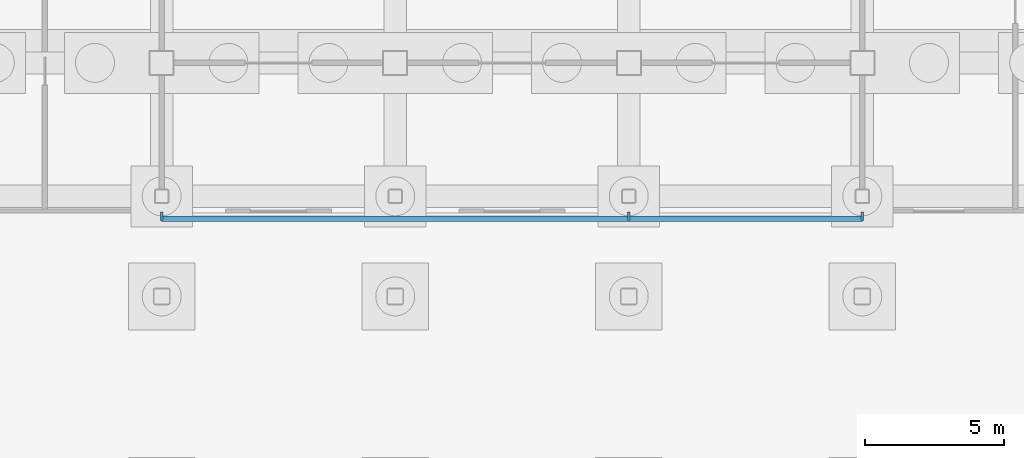
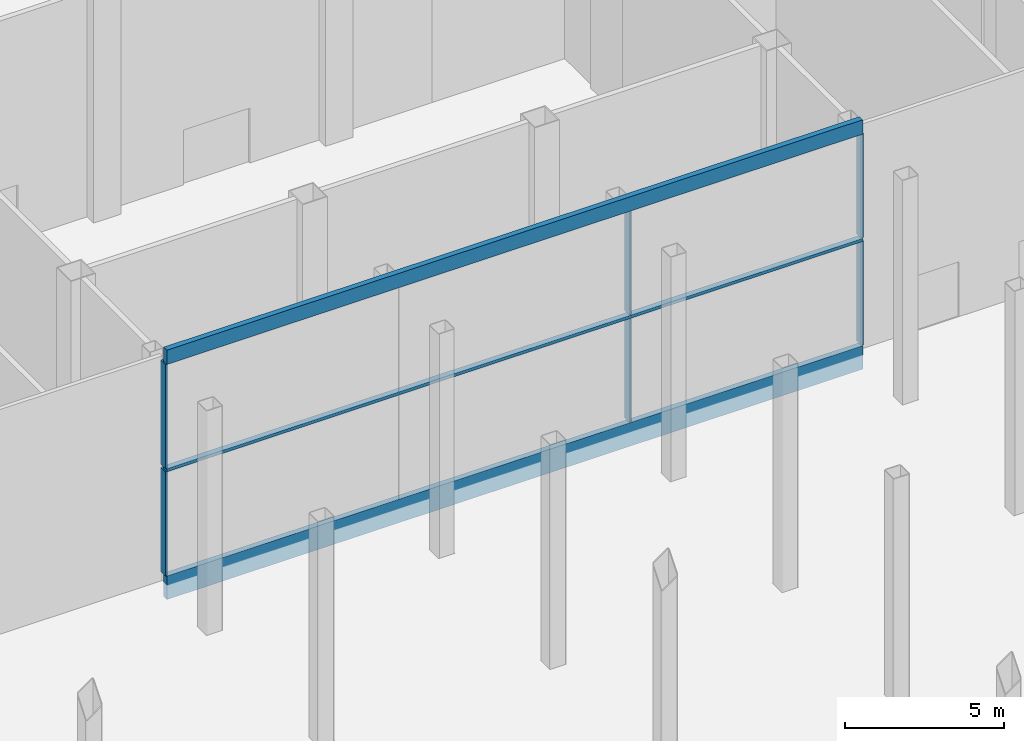
# One storey, part 20 of 113: 9 members, 1 element without a shape of its own.
"""IFC4 building model written with IfcOpenShell, lengths in metres."""

from ifc_helpers import new_model, si_unit, direction, frame, origin, origin_2d, place, context, subcontext, project, spatial, rectangle, extrude, material, layer, layer_set, material_profile, profile_set, type_object, element, aggregate, save


model = new_model("IFC4")

# Units and contexts
model_context = context("Model", 3, precision=1e-05, world=origin(), true_north=direction((0.0, 1.0)))
body_context = subcontext(model_context, "Body", "Model", "MODEL_VIEW")
ifc_project = project(units=[si_unit("LENGTHUNIT", "METRE"), si_unit("AREAUNIT", "SQUARE_METRE"), si_unit("VOLUMEUNIT", "CUBIC_METRE"), si_unit("PLANEANGLEUNIT", "RADIAN"), si_unit("MASSUNIT", "GRAM", prefix="KILO")], contexts=[model_context])

# Site, building, storey
site_placement = place(None, origin())
site = spatial("IfcSite", under=ifc_project, at=site_placement, CompositionType="ELEMENT")
building_placement = place(site_placement, origin())
building = spatial("IfcBuilding", under=site, at=building_placement, Name="Hakoniwa Tower and Hamabe Station Hall", CompositionType="ELEMENT")
storey_placement = place(building_placement, origin())
storey = spatial("IfcBuildingStorey", under=building, at=storey_placement, Name="L01", CompositionType="ELEMENT", Elevation=0.0)

# Curtain wall, members
ifc_material_1 = material(Name="Dark low-e laminated glass", Category="glass")
ifc_layer = layer(ifc_material_1, 0.199951171875)
ifc_layer_set = layer_set([ifc_layer], Name="CW-3 PODIUM LOBBY")
curtain_wall_type = type_object("IfcCurtainWallType", Name="CW-3 PODIUM LOBBY", PredefinedType="NOTDEFINED", material=ifc_layer_set)
curtain_wall_placement = place(storey_placement, origin())
curtain_wall = element("IfcCurtainWall", 1, at=curtain_wall_placement, inside=storey, type_object=curtain_wall_type, Name="Podium curtain wall L01 south 4", PredefinedType="NOTDEFINED")
ifc_material_2 = material(Name="Aluminium 6063-T5 black anodised", Category="aluminium")
ifc_material_profile_1 = material_profile(ifc_material_2, rectangle(XDim=0.199951171875, YDim=0.550048828125, at=origin_2d()), Name="CW HEAD BAND 550X200")
ifc_profile_set_1 = profile_set([ifc_material_profile_1], Name="Aluminium 6063-T5 black anodised")
member_type_1 = type_object("IfcMemberType", Name="CW HEAD BAND 550X200", PredefinedType="USERDEFINED", material=ifc_profile_set_1)
member_1_placement = place(storey_placement, frame((-8.39990234375, -25.199951171875, 8.72509765625), z_axis=(1.0, 0.0, 0.0), x_axis=(0.0, 1.0, 0.0)))
member_1 = element("IfcMember", 2, at=member_1_placement, type_object=member_type_1, Name="CW-3 transom", ObjectType="TRANSOM", PredefinedType="USERDEFINED", context=body_context, shape_type="SweptSolid", body=[
    extrude(rectangle(XDim=0.199951171875, YDim=0.550048828125, at=origin_2d()), origin(), (0.0, 0.0, 1.0), 25.199951171875),
])
ifc_material_3 = material(Name="Aluminium 6063-T5 black anodised", Category="aluminium")
ifc_material_profile_2 = material_profile(ifc_material_3, rectangle(XDim=0.199951171875, YDim=0.1201171875, at=origin_2d()), Name="CW MID TRANSOM 120X200")
ifc_profile_set_2 = profile_set([ifc_material_profile_2], Name="Aluminium 6063-T5 black anodised")
member_type_2 = type_object("IfcMemberType", Name="CW MID TRANSOM 120X200", PredefinedType="USERDEFINED", material=ifc_profile_set_2)
member_2_placement = place(storey_placement, frame((-8.39990234375, -25.199951171875, 4.39990234375), z_axis=(1.0, 0.0, 0.0), x_axis=(0.0, 1.0, 0.0)))
member_2 = element("IfcMember", 3, at=member_2_placement, type_object=member_type_2, Name="CW-3 transom", ObjectType="TRANSOM", PredefinedType="USERDEFINED", context=body_context, shape_type="SweptSolid", body=[
    extrude(rectangle(XDim=0.199951171875, YDim=0.1201171875, at=origin_2d()), origin(), (0.0, 0.0, 1.0), 25.199951171875),
])
ifc_material_4 = material(Name="Aluminium 6063-T5 black anodised", Category="aluminium")
ifc_material_profile_3 = material_profile(ifc_material_4, rectangle(XDim=0.199951171875, YDim=0.89990234375, at=origin_2d()), Name="CW SLAB-EDGE BAND 900X200")
ifc_profile_set_3 = profile_set([ifc_material_profile_3], Name="Aluminium 6063-T5 black anodised")
member_type_3 = type_object("IfcMemberType", Name="CW SLAB-EDGE BAND 900X200", PredefinedType="USERDEFINED", material=ifc_profile_set_3)
member_3_placement = place(storey_placement, frame((-8.39990234375, -25.199951171875, -0.10009765625), z_axis=(1.0, 0.0, 0.0), x_axis=(0.0, 1.0, 0.0)))
member_3 = element("IfcMember", 4, at=member_3_placement, type_object=member_type_3, Name="CW-3 transom", ObjectType="TRANSOM", PredefinedType="USERDEFINED", context=body_context, shape_type="SweptSolid", body=[
    extrude(rectangle(XDim=0.199951171875, YDim=0.89990234375, at=origin_2d()), origin(), (0.0, 0.0, 1.0), 25.199951171875),
])
ifc_material_5 = material(Name="Aluminium 6063-T5 black anodised", Category="aluminium")
ifc_material_profile_4 = material_profile(ifc_material_5, rectangle(XDim=0.080078125, YDim=0.300048828125, at=origin_2d()), Name="CW-3 MULLION 80X300")
ifc_profile_set_4 = profile_set([ifc_material_profile_4], Name="Aluminium 6063-T5 black anodised")
member_type_4 = type_object("IfcMemberType", Name="CW-3 MULLION 80X300", PredefinedType="MULLION", material=ifc_profile_set_4)
member_4_placement = place(storey_placement, frame((-8.39990234375, -25.1220703125, 0.35009765625), z_axis=(0.0, 0.0, 1.0), x_axis=(1.0, 0.0, 0.0)))
member_4 = element("IfcMember", 5, at=member_4_placement, type_object=member_type_4, Name="CW-3 mullion", PredefinedType="MULLION", context=body_context, shape_type="SweptSolid", body=[
    extrude(rectangle(XDim=0.080078125, YDim=0.300048828125, at=origin_2d()), origin(), (0.0, 0.0, 1.0), 3.989990234375),
])
member_5_placement = place(storey_placement, frame((-8.39990234375, -25.1220703125, 4.4599609375), z_axis=(0.0, 0.0, 1.0), x_axis=(1.0, 0.0, 0.0)))
member_5 = element("IfcMember", 6, at=member_5_placement, type_object=member_type_4, Name="CW-3 mullion", PredefinedType="MULLION", context=body_context, shape_type="SweptSolid", body=[
    extrude(rectangle(XDim=0.080078125, YDim=0.300048828125, at=origin_2d()), origin(), (0.0, 0.0, 1.0), 3.989990234375),
])
member_6_placement = place(storey_placement, frame((8.39990234375, -25.1220703125, 0.35009765625), z_axis=(0.0, 0.0, 1.0), x_axis=(1.0, 0.0, 0.0)))
member_6 = element("IfcMember", 7, at=member_6_placement, type_object=member_type_4, Name="CW-3 mullion", PredefinedType="MULLION", context=body_context, shape_type="SweptSolid", body=[
    extrude(rectangle(XDim=0.080078125, YDim=0.300048828125, at=origin_2d()), origin(), (0.0, 0.0, 1.0), 3.989990234375),
])
member_7_placement = place(storey_placement, frame((8.39990234375, -25.1220703125, 4.4599609375), z_axis=(0.0, 0.0, 1.0), x_axis=(1.0, 0.0, 0.0)))
member_7 = element("IfcMember", 8, at=member_7_placement, type_object=member_type_4, Name="CW-3 mullion", PredefinedType="MULLION", context=body_context, shape_type="SweptSolid", body=[
    extrude(rectangle(XDim=0.080078125, YDim=0.300048828125, at=origin_2d()), origin(), (0.0, 0.0, 1.0), 3.989990234375),
])
member_8_placement = place(storey_placement, frame((16.800048828125, -25.1220703125, 0.35009765625), z_axis=(0.0, 0.0, 1.0), x_axis=(1.0, 0.0, 0.0)))
member_8 = element("IfcMember", 9, at=member_8_placement, type_object=member_type_4, Name="CW-3 mullion", PredefinedType="MULLION", context=body_context, shape_type="SweptSolid", body=[
    extrude(rectangle(XDim=0.080078125, YDim=0.300048828125, at=origin_2d()), origin(), (0.0, 0.0, 1.0), 3.989990234375),
])
member_9_placement = place(storey_placement, frame((16.800048828125, -25.1220703125, 4.4599609375), z_axis=(0.0, 0.0, 1.0), x_axis=(1.0, 0.0, 0.0)))
member_9 = element("IfcMember", 10, at=member_9_placement, type_object=member_type_4, Name="CW-3 mullion", PredefinedType="MULLION", context=body_context, shape_type="SweptSolid", body=[
    extrude(rectangle(XDim=0.080078125, YDim=0.300048828125, at=origin_2d()), origin(), (0.0, 0.0, 1.0), 3.989990234375),
])
aggregate(curtain_wall, [member_4, member_5, member_6, member_7, member_8, member_9, member_3, member_2, member_1])

save(model, "model.ifc")
